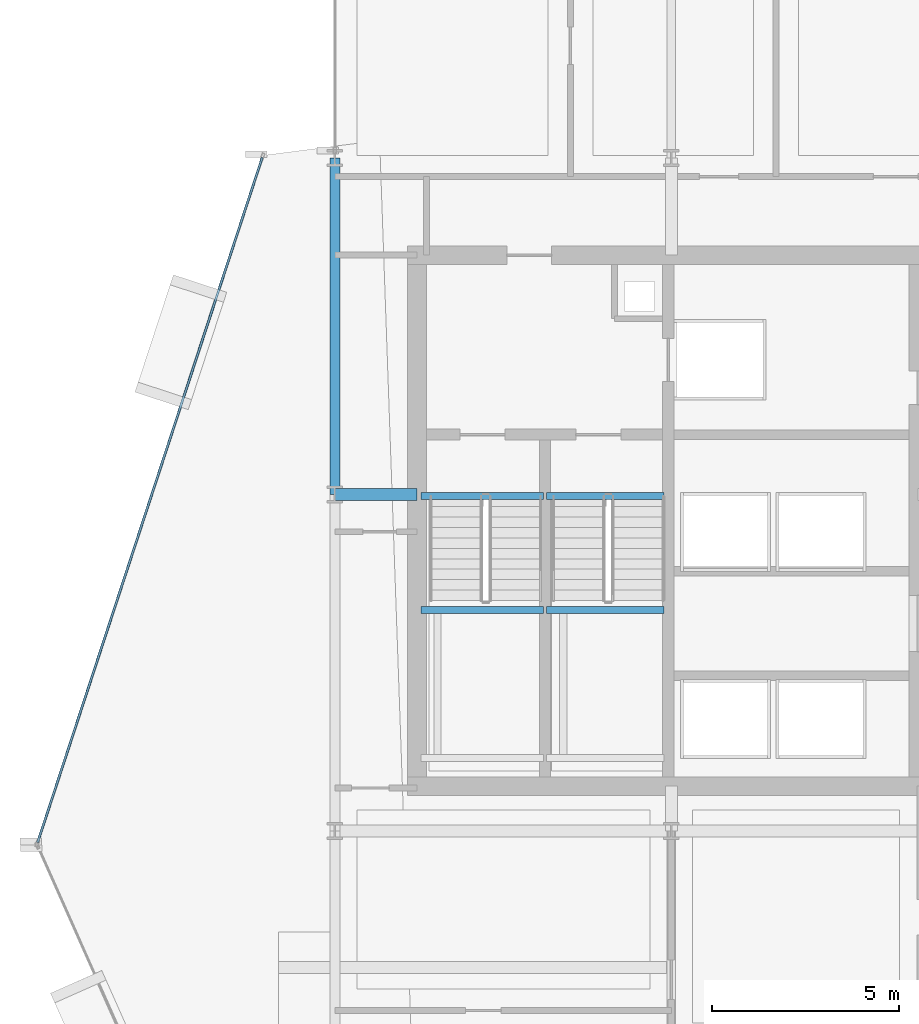
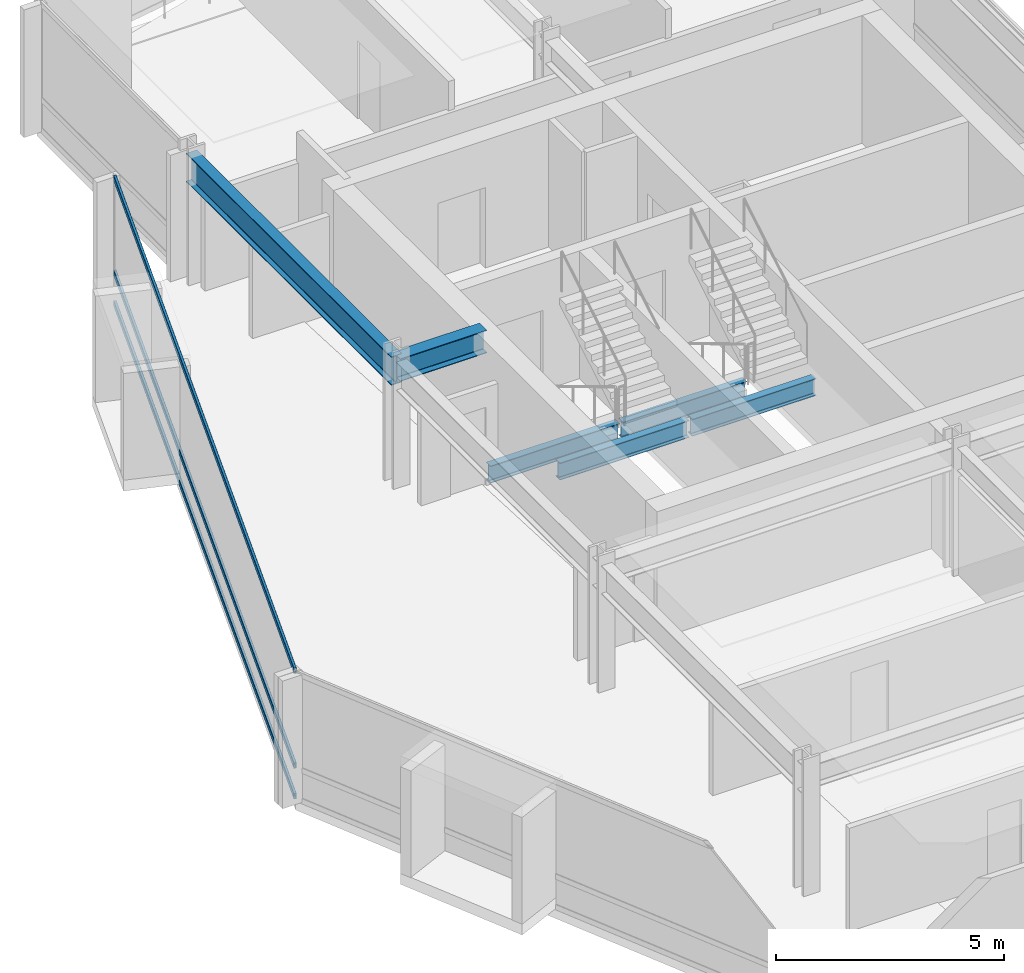
# One storey, part 15 of 28: 6 beams, 3 members, 1 element without a shape of its own.
"""IFC4 building model written with IfcOpenShell, lengths in metres."""

from ifc_helpers import new_model, si_unit, direction, frame, origin, origin_2d, place, context, subcontext, project, spatial, hollow_rectangle, i_section, extrude, material, layer, layer_set, material_profile, profile_set, type_object, element, aggregate, save


model = new_model("IFC4")

# Units and contexts
model_context = context("Model", 3, precision=1e-05, world=origin(), true_north=direction((0.0, 1.0)))
body_context = subcontext(model_context, "Body", "Model", "MODEL_VIEW")
ifc_project = project(units=[si_unit("LENGTHUNIT", "METRE"), si_unit("AREAUNIT", "SQUARE_METRE"), si_unit("VOLUMEUNIT", "CUBIC_METRE"), si_unit("PLANEANGLEUNIT", "RADIAN"), si_unit("MASSUNIT", "GRAM", prefix="KILO")], contexts=[model_context])

# Site, building, storey
site_placement = place(None, origin())
site = spatial("IfcSite", under=ifc_project, at=site_placement, CompositionType="ELEMENT")
building_placement = place(site_placement, origin())
building = spatial("IfcBuilding", under=site, at=building_placement, Name="Solvaryn Broadcast Tower", CompositionType="ELEMENT")
storey_placement = place(building_placement, frame((0.0, 0.0, 132.199951171875)))
storey = spatial("IfcBuildingStorey", under=building, at=storey_placement, Name="L32", CompositionType="ELEMENT", Elevation=132.199951171875)

# Beams
ifc_material_1 = material(Name="Steel ASTM A992 Grade 50", Category="steel")
ifc_material_profile_1 = material_profile(ifc_material_1, i_section(OverallWidth=0.323974609375, OverallDepth=0.611083984375, WebThickness=0.0126953125, FlangeThickness=0.01904296875, FilletRadius=0.014892578125, at=origin_2d()))
ifc_profile_set_1 = profile_set([ifc_material_profile_1], Name="Steel ASTM A992 Grade 50")
beam_type_1 = type_object("IfcBeamType", Name="BM-B1-W24X104", PredefinedType="BEAM", material=ifc_profile_set_1)
beam_1_placement = place(storey_placement, frame((9.0, 36.0, 3.114501953125), z_axis=(1.0, 0.0, 0.0), x_axis=(0.0, 1.0, 0.0)))
element("IfcBeam", 1, at=beam_1_placement, inside=storey, type_object=beam_type_1, Name="L32 Core Tie Beam CTW1", PredefinedType="BEAM", context=body_context, shape_type="SweptSolid", body=[
    extrude(i_section(OverallWidth=0.323974609375, OverallDepth=0.611083984375, WebThickness=0.0126953125, FlangeThickness=0.01904296875, FilletRadius=0.014892578125, at=origin_2d()), origin(), (0.0, 0.0, 1.0), 2.199951171875),
])
ifc_material_2 = material(Name="Steel ASTM A992 Grade 50", Category="steel")
ifc_material_profile_2 = material_profile(ifc_material_2, i_section(OverallWidth=0.18994140625, OverallDepth=0.45703125, WebThickness=0.009033203125, FlangeThickness=0.014404296875, FilletRadius=0.011962890625, at=origin_2d()))
ifc_profile_set_2 = profile_set([ifc_material_profile_2], Name="Steel ASTM A992 Grade 50")
beam_type_2 = type_object("IfcBeamType", Name="BM-B4-W18X50", PredefinedType="BEAM", material=ifc_profile_set_2)
for number, where, z_axis, x_axis, name in (
    (2, (11.300048828125, 35.9599609375, -0.508544921875), (1.0, 0.0, 0.0), (0.0, 1.0, 0.0), "L32 ST1 Stair Well Trimmer Beam"),
    (3, (11.300048828125, 32.909912109375, 1.421630859375), (1.0, 0.0, 0.0), (0.0, 1.0, 0.0), "L32 ST1 Landing Support Beam 1B"),
):
    element("IfcBeam", number, at=place(storey_placement, frame(where, z_axis=z_axis, x_axis=x_axis)), inside=storey, type_object=beam_type_2, Name=name, PredefinedType="BEAM", context=body_context, shape_type="SweptSolid", body=[
        extrude(i_section(OverallWidth=0.18994140625, OverallDepth=0.45703125, WebThickness=0.009033203125, FlangeThickness=0.014404296875, FilletRadius=0.011962890625, at=origin_2d()), origin(), (0.0, 0.0, 1.0), 3.280029296875),
    ])
for number, where, z_axis, x_axis, name in (
    (4, (14.659912109375, 35.9599609375, -0.508544921875), (1.0, 0.0, 0.0), (0.0, 1.0, 0.0), "L32 ST2 Stair Well Trimmer Beam"),
    (5, (14.659912109375, 32.909912109375, 1.421630859375), (1.0, 0.0, 0.0), (0.0, 1.0, 0.0), "L32 ST2 Landing Support Beam 1B"),
):
    element("IfcBeam", number, at=place(storey_placement, frame(where, z_axis=z_axis, x_axis=x_axis)), inside=storey, type_object=beam_type_2, Name=name, PredefinedType="BEAM", context=body_context, shape_type="SweptSolid", body=[
        extrude(i_section(OverallWidth=0.18994140625, OverallDepth=0.45703125, WebThickness=0.009033203125, FlangeThickness=0.014404296875, FilletRadius=0.011962890625, at=origin_2d()), origin(), (0.0, 0.0, 1.0), 3.14013671875),
    ])
ifc_material_3 = material(Name="Steel ASTM A992 Grade 50", Category="steel")
ifc_material_profile_3 = material_profile(ifc_material_3, i_section(OverallWidth=0.26708984375, OverallDepth=0.76611328125, WebThickness=0.014892578125, FlangeThickness=0.023681640625, FilletRadius=0.01806640625, at=origin_2d()))
ifc_profile_set_3 = profile_set([ifc_material_profile_3], Name="Steel ASTM A992 Grade 50")
beam_type_3 = type_object("IfcBeamType", Name="BM-SP2-W30X124", PredefinedType="USERDEFINED", material=ifc_profile_set_3)
beam_2_placement = place(storey_placement, frame((9.0, 36.0, 3.037109375), z_axis=(0.0, 1.0, 0.0), x_axis=(-1.0, 0.0, 0.0)))
element("IfcBeam", 6, at=beam_2_placement, inside=storey, type_object=beam_type_3, Name="L32 Spandrel Beam Y (36-45 @ X=9)", ObjectType="SPANDREL", PredefinedType="USERDEFINED", context=body_context, shape_type="SweptSolid", body=[
    extrude(i_section(OverallWidth=0.26708984375, OverallDepth=0.76611328125, WebThickness=0.014892578125, FlangeThickness=0.023681640625, FilletRadius=0.01806640625, at=origin_2d()), origin(), (0.0, 0.0, 1.0), 9.0),
])

# Curtain wall, members
ifc_material_4 = material(Name="Aluminium and Terracotta Unitised Curtain Wall", Category="masonry")
ifc_layer = layer(ifc_material_4, 0.199951171875)
ifc_layer_set = layer_set([ifc_layer], Name="CW-SYS2-LOWMID")
curtain_wall_type = type_object("IfcCurtainWallType", Name="CW-SYS2-LOWMID", PredefinedType="NOTDEFINED", material=ifc_layer_set)
curtain_wall_placement = place(storey_placement, origin())
curtain_wall = element("IfcCurtainWall", 7, at=curtain_wall_placement, inside=storey, type_object=curtain_wall_type, Name="L32 Curtain Wall DR1", PredefinedType="NOTDEFINED")
ifc_material_5 = material(Name="Anodised Aluminium 6063-T6", Category="aluminium")
ifc_material_profile_4 = material_profile(ifc_material_5, hollow_rectangle(XDim=0.06494140625, YDim=0.14990234375, WallThickness=0.00390625, InnerFilletRadius=0.00390625, OuterFilletRadius=0.008056640625, at=origin_2d()))
ifc_profile_set_4 = profile_set([ifc_material_profile_4], Name="Anodised Aluminium 6063-T6")
member_type = type_object("IfcMemberType", Name="CW-TRN-150", PredefinedType="USERDEFINED", material=ifc_profile_set_4)
member_1_placement = place(storey_placement, frame((7.060302734375, 45.010009765625, 0.030029296875), z_axis=(-0.31164571445, -0.950198373323, 0.0), x_axis=(0.950198373323, -0.31164571445, 0.0)))
member_1 = element("IfcMember", 8, at=member_1_placement, type_object=member_type, Name="CWS2 transom 1.1", ObjectType="TRANSOM", PredefinedType="USERDEFINED", context=body_context, shape_type="SweptSolid", body=[
    extrude(hollow_rectangle(XDim=0.06494140625, YDim=0.14990234375, WallThickness=0.00390625, InnerFilletRadius=0.00390625, OuterFilletRadius=0.008056640625, at=origin_2d()), origin(), (0.0, 0.0, 1.0), 19.27685546875),
])
member_2_placement = place(storey_placement, frame((7.060302734375, 45.010009765625, 0.85009765625), z_axis=(-0.31164571445, -0.950198373323, 0.0), x_axis=(0.950198373323, -0.31164571445, 0.0)))
member_2 = element("IfcMember", 9, at=member_2_placement, type_object=member_type, Name="CWS2 transom 1.2", ObjectType="TRANSOM", PredefinedType="USERDEFINED", context=body_context, shape_type="SweptSolid", body=[
    extrude(hollow_rectangle(XDim=0.06494140625, YDim=0.14990234375, WallThickness=0.00390625, InnerFilletRadius=0.00390625, OuterFilletRadius=0.008056640625, at=origin_2d()), origin(), (0.0, 0.0, 1.0), 19.27685546875),
])
member_3_placement = place(storey_placement, frame((7.060302734375, 45.010009765625, 3.39013671875), z_axis=(-0.31164571445, -0.950198373323, 0.0), x_axis=(0.950198373323, -0.31164571445, 0.0)))
member_3 = element("IfcMember", 10, at=member_3_placement, type_object=member_type, Name="CWS2 transom 1.3", ObjectType="TRANSOM", PredefinedType="USERDEFINED", context=body_context, shape_type="SweptSolid", body=[
    extrude(hollow_rectangle(XDim=0.06494140625, YDim=0.14990234375, WallThickness=0.00390625, InnerFilletRadius=0.00390625, OuterFilletRadius=0.008056640625, at=origin_2d()), origin(), (0.0, 0.0, 1.0), 19.27685546875),
])
aggregate(curtain_wall, [member_1, member_2, member_3])

save(model, "model.ifc")
